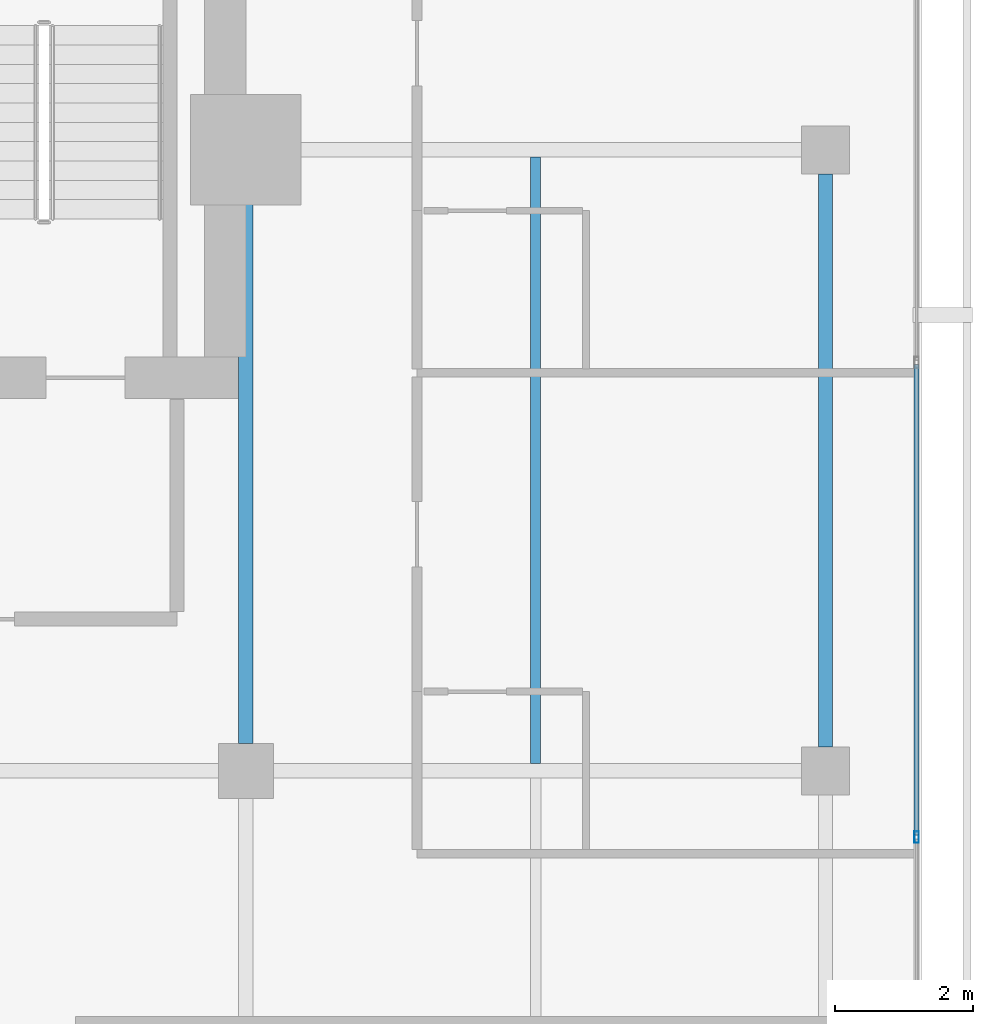
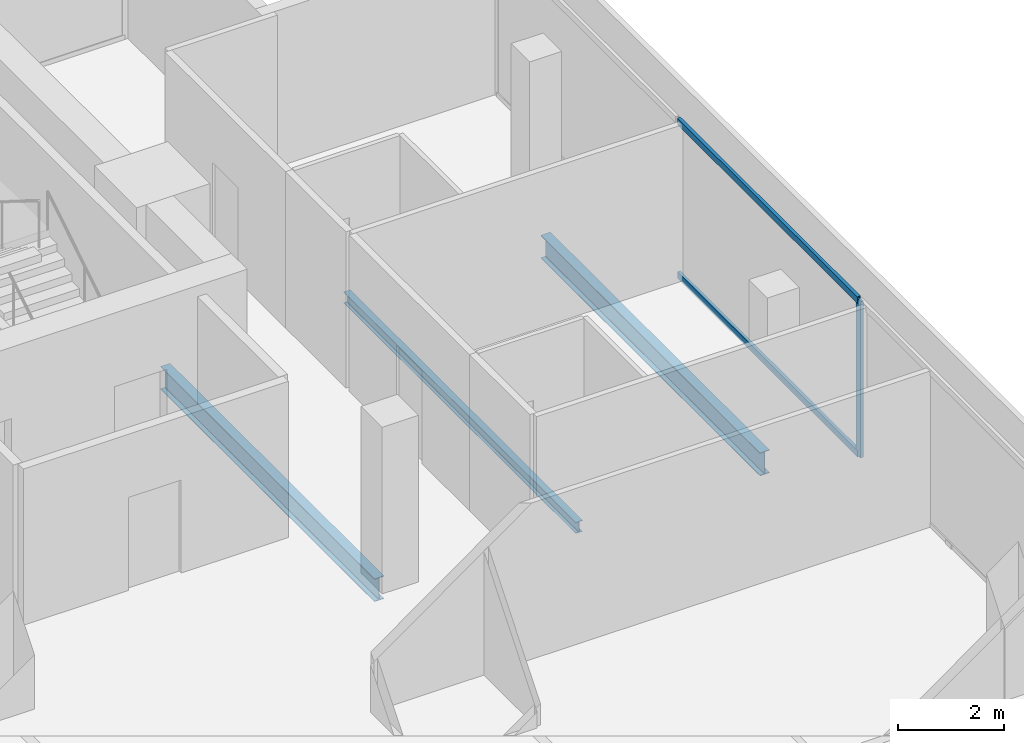
# One storey, part 15 of 25: 3 beams, 3 members, 1 element without a shape of its own.
"""IFC4 building model written with IfcOpenShell, lengths in metres."""

from ifc_helpers import new_model, si_unit, direction, frame, origin, origin_2d, place, context, subcontext, project, spatial, hollow_rectangle, i_section, extrude, material, layer, layer_set, material_profile, profile_set, type_object, element, aggregate, save


model = new_model("IFC4")

# Units and contexts
model_context = context("Model", 3, precision=1e-05, world=origin(), true_north=direction((0.0, 1.0)))
body_context = subcontext(model_context, "Body", "Model", "MODEL_VIEW")
ifc_project = project(units=[si_unit("LENGTHUNIT", "METRE"), si_unit("AREAUNIT", "SQUARE_METRE"), si_unit("VOLUMEUNIT", "CUBIC_METRE"), si_unit("PLANEANGLEUNIT", "RADIAN"), si_unit("MASSUNIT", "GRAM", prefix="KILO")], contexts=[model_context])

# Site, building, storey
site_placement = place(None, origin())
site = spatial("IfcSite", under=ifc_project, at=site_placement, CompositionType="ELEMENT")
building_placement = place(site_placement, origin())
building = spatial("IfcBuilding", under=site, at=building_placement, Name="Maruvema Waterfront Hotel and Observation Tower", CompositionType="ELEMENT")
storey_placement = place(building_placement, frame((0.0, 0.0, 239.39990234375)))
storey = spatial("IfcBuildingStorey", under=building, at=storey_placement, Name="L58", CompositionType="ELEMENT", Elevation=239.39990234375)

# Curtain wall, members
ifc_material_1 = material(Name="Anodised bronze aluminium and solar-control low-E IGU", Category="aluminium")
ifc_layer = layer(ifc_material_1, 0.159912109375, Name="Zone 3 Champagne Inner Thermal Curtain Wall System CW-04")
ifc_layer_set = layer_set([ifc_layer], Name="Anodised bronze aluminium and solar-control low-E IGU")
curtain_wall_type = type_object("IfcCurtainWallType", Name="Zone 3 Champagne Inner Thermal Curtain Wall System CW-04", PredefinedType="USERDEFINED", material=ifc_layer_set)
curtain_wall_placement = place(storey_placement, origin())
curtain_wall = element("IfcCurtainWall", 1, at=curtain_wall_placement, inside=storey, type_object=curtain_wall_type, Name="L58 Curtain Wall CW-L58-E", ObjectType="UNITISED CURTAIN WALL", PredefinedType="USERDEFINED")
ifc_material_2 = material(Name="Anodised architectural bronze aluminium", Category="aluminium")
ifc_material_profile_1 = material_profile(ifc_material_2, hollow_rectangle(XDim=0.070068359375, YDim=0.14990234375, WallThickness=0.00390625, at=origin_2d()), Name="ALU-T70x150")
ifc_profile_set_1 = profile_set([ifc_material_profile_1], Name="Anodised architectural bronze aluminium")
member_type_1 = type_object("IfcMemberType", Name="Curtain Wall Horizontal Transom ALU-T70x150", PredefinedType="USERDEFINED", material=ifc_profile_set_1)
member_1_placement = place(storey_placement, frame((60.1201171875, 35.070068359375, 0.030029296875), z_axis=(0.0, 1.0, 0.0), x_axis=(-1.0, 0.0, 0.0)))
member_1 = element("IfcMember", 2, at=member_1_placement, type_object=member_type_1, Name="CW-04 transom 4.1", ObjectType="TRANSOM", PredefinedType="USERDEFINED", context=body_context, shape_type="SweptSolid", body=[
    extrude(hollow_rectangle(XDim=0.070068359375, YDim=0.14990234375, WallThickness=0.00390625, at=origin_2d()), origin(), (0.0, 0.0, 1.0), 6.81982421875),
])
member_2_placement = place(storey_placement, frame((60.1201171875, 35.070068359375, 3.580078125), z_axis=(0.0, 1.0, 0.0), x_axis=(-1.0, 0.0, 0.0)))
member_2 = element("IfcMember", 3, at=member_2_placement, type_object=member_type_1, Name="CW-04 transom 4.2", ObjectType="TRANSOM", PredefinedType="USERDEFINED", context=body_context, shape_type="SweptSolid", body=[
    extrude(hollow_rectangle(XDim=0.070068359375, YDim=0.14990234375, WallThickness=0.00390625, at=origin_2d()), origin(), (0.0, 0.0, 1.0), 6.81982421875),
])
ifc_material_3 = material(Name="Anodised architectural bronze aluminium", Category="aluminium")
ifc_material_profile_2 = material_profile(ifc_material_3, hollow_rectangle(XDim=0.06494140625, YDim=0.1650390625, WallThickness=0.00390625, at=origin_2d()), Name="ALU-M65x165")
ifc_profile_set_2 = profile_set([ifc_material_profile_2], Name="Anodised architectural bronze aluminium")
member_type_2 = type_object("IfcMemberType", Name="Curtain Wall Primary Mullion ALU-M65x165", PredefinedType="MULLION", material=ifc_profile_set_2)
member_3_placement = place(storey_placement, frame((60.1201171875, 35.0400390625, 0.0), z_axis=(0.0, 0.0, 1.0), x_axis=(-1.0, 0.0, 0.0)))
member_3 = element("IfcMember", 4, at=member_3_placement, type_object=member_type_2, Name="CW-04 mullion 4", PredefinedType="MULLION", context=body_context, shape_type="SweptSolid", body=[
    extrude(hollow_rectangle(XDim=0.06494140625, YDim=0.1650390625, WallThickness=0.00390625, at=origin_2d()), origin(), (0.0, 0.0, 1.0), 3.610107421875),
])
aggregate(curtain_wall, [member_3, member_1, member_2])

# Beams
ifc_material_4 = material(Name="Steel ASTM A572 Grade 50", Category="steel")
ifc_material_profile_3 = material_profile(ifc_material_4, i_section(OverallWidth=0.208984375, OverallDepth=0.532958984375, WebThickness=0.01025390625, FlangeThickness=0.015625, FilletRadius=0.014892578125, at=origin_2d()), Name="W530x92.0")
ifc_profile_set_3 = profile_set([ifc_material_profile_3], Name="Steel ASTM A572 Grade 50")
beam_type_1 = type_object("IfcBeamType", Name="Primary Floor Girder W530x92.0", PredefinedType="BEAM", material=ifc_profile_set_3)
beam_1_placement = place(storey_placement, frame((50.39990234375, 36.39990234375, -0.50634765625), z_axis=(0.0, 1.0, 0.0), x_axis=(-1.0, 0.0, 0.0)))
element("IfcBeam", 5, at=beam_1_placement, inside=storey, type_object=beam_type_1, Name="L58 Floor Girder NS-15", PredefinedType="BEAM", context=body_context, shape_type="SweptSolid", body=[
    extrude(i_section(OverallWidth=0.208984375, OverallDepth=0.532958984375, WebThickness=0.01025390625, FlangeThickness=0.015625, FilletRadius=0.014892578125, at=origin_2d()), origin(), (0.0, 0.0, 1.0), 8.10009765625),
])
beam_2_placement = place(storey_placement, frame((58.800048828125, 36.35009765625, -0.50634765625), z_axis=(0.0, 1.0, 0.0), x_axis=(-1.0, 0.0, 0.0)))
element("IfcBeam", 6, at=beam_2_placement, inside=storey, type_object=beam_type_1, Name="L58 Floor Girder NS-18", PredefinedType="BEAM", context=body_context, shape_type="SweptSolid", body=[
    extrude(i_section(OverallWidth=0.208984375, OverallDepth=0.532958984375, WebThickness=0.01025390625, FlangeThickness=0.015625, FilletRadius=0.014892578125, at=origin_2d()), origin(), (0.0, 0.0, 1.0), 8.2998046875),
])
ifc_material_5 = material(Name="Steel ASTM A572 Grade 50", Category="steel")
ifc_material_profile_4 = material_profile(ifc_material_5, i_section(OverallWidth=0.14599609375, OverallDepth=0.258056640625, WebThickness=0.006103515625, FlangeThickness=0.009033203125, FilletRadius=0.012939453125, at=origin_2d()), Name="W250x32.7")
ifc_profile_set_4 = profile_set([ifc_material_profile_4], Name="Steel ASTM A572 Grade 50")
beam_type_2 = type_object("IfcBeamType", Name="Secondary Floor Joist W250x32.7", PredefinedType="JOIST", material=ifc_profile_set_4)
beam_3_placement = place(storey_placement, frame((54.60009765625, 36.1044921875, -0.368896484375), z_axis=(0.0, 1.0, 0.0), x_axis=(-1.0, 0.0, 0.0)))
element("IfcBeam", 7, at=beam_3_placement, inside=storey, type_object=beam_type_2, Name="L58 Secondary Floor Joist JS-09", PredefinedType="JOIST", context=body_context, shape_type="SweptSolid", body=[
    extrude(i_section(OverallWidth=0.14599609375, OverallDepth=0.258056640625, WebThickness=0.006103515625, FlangeThickness=0.009033203125, FilletRadius=0.012939453125, at=origin_2d()), origin(), (0.0, 0.0, 1.0), 8.791015625),
])

save(model, "model.ifc")
